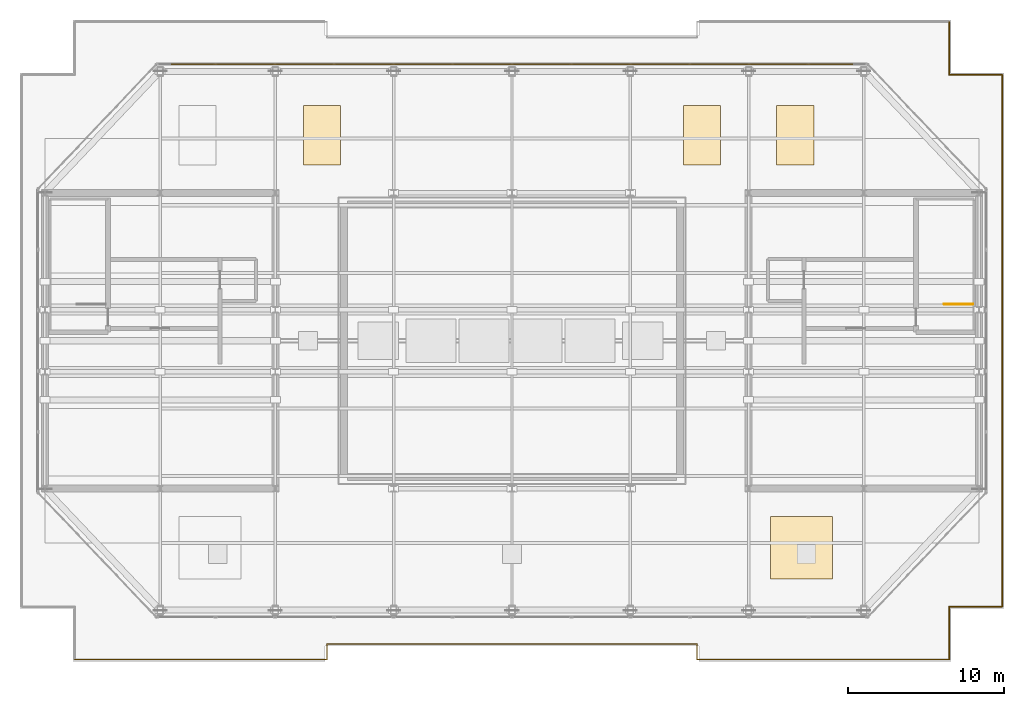
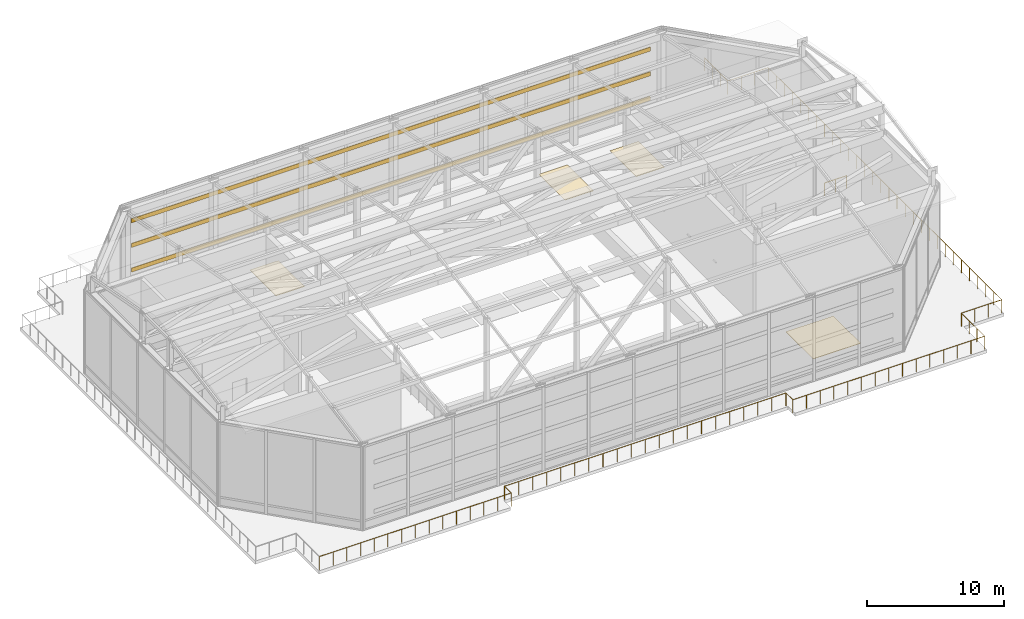
# One storey, part 25 of 25: 4 coverings, 3 shading devices, 2 railings.
"""IFC4 building model written with IfcOpenShell, lengths in metres."""

from ifc_helpers import new_model, si_unit, direction, frame, origin, origin_2d, place, context, subcontext, project, spatial, polyline, rectangle, circle, outline, extrude, source, transform, mapped, material, layer, layer_set, material_profile, profile_set, type_object, type_shapes, element, save


model = new_model("IFC4")

# Units and contexts
model_context = context("Model", 3, precision=1e-05, world=origin(), true_north=direction((0.0, 1.0)))
body_context = subcontext(model_context, "Body", "Model", "MODEL_VIEW")
ifc_project = project(units=[si_unit("LENGTHUNIT", "METRE"), si_unit("AREAUNIT", "SQUARE_METRE"), si_unit("VOLUMEUNIT", "CUBIC_METRE"), si_unit("PLANEANGLEUNIT", "RADIAN"), si_unit("MASSUNIT", "GRAM", prefix="KILO")], contexts=[model_context])

# Site, building, storey
site_placement = place(None, origin())
site = spatial("IfcSite", under=ifc_project, at=site_placement, CompositionType="ELEMENT")
building_placement = place(site_placement, origin())
building = spatial("IfcBuilding", under=site, at=building_placement, Name="Haelvirn Gate Laboratories", CompositionType="ELEMENT")
storey_placement = place(building_placement, frame((0.0, 0.0, 337.800048828125)))
storey = spatial("IfcBuildingStorey", under=building, at=storey_placement, Name="RF", CompositionType="ELEMENT", Elevation=337.800048828125)

# Coverings
ifc_material_1 = material(Name="Standing-seam bronze-patinated zinc & TPO roofing membrane", Category="aluminium")
ifc_layer = layer(ifc_material_1, 0.034912109375, Name="COV-ROOF-MEM")
ifc_layer_set = layer_set([ifc_layer], Name="Standing-seam bronze-patinated zinc & TPO roofing membrane")
covering_type = type_object("IfcCoveringType", Name="COV-ROOF-MEM", PredefinedType="ROOFING", material=ifc_layer_set)
covering_1_placement = place(storey_placement, origin())
element("IfcCovering", 1, at=covering_1_placement, inside=storey, type_object=covering_type, Name="RF Standing-Seam Bronze Roofing Panel 2", PredefinedType="ROOFING", context=body_context, shape_type="SweptSolid", body=[
    extrude(outline(polyline([(24.0, 35.60009765625), (26.39990234375, 35.60009765625), (26.39990234375, 39.39990234375), (24.0, 39.39990234375), (24.0, 35.60009765625)])), origin(), (0.0, 0.0, 1.0), 0.034912109375),
])
covering_2_placement = place(storey_placement, origin())
element("IfcCovering", 2, at=covering_2_placement, inside=storey, type_object=covering_type, Name="RF Standing-Seam Bronze Roofing Panel 3", PredefinedType="ROOFING", context=body_context, shape_type="SweptSolid", body=[
    extrude(outline(polyline([(48.39990234375, 35.60009765625), (50.800048828125, 35.60009765625), (50.800048828125, 39.39990234375), (48.39990234375, 39.39990234375), (48.39990234375, 35.60009765625)])), origin(), (0.0, 0.0, 1.0), 0.034912109375),
])
covering_3_placement = place(storey_placement, origin())
element("IfcCovering", 3, at=covering_3_placement, inside=storey, type_object=covering_type, Name="RF Standing-Seam Bronze Roofing Panel 4", PredefinedType="ROOFING", context=body_context, shape_type="SweptSolid", body=[
    extrude(outline(polyline([(54.39990234375, 35.60009765625), (56.800048828125, 35.60009765625), (56.800048828125, 39.39990234375), (54.39990234375, 39.39990234375), (54.39990234375, 35.60009765625)])), origin(), (0.0, 0.0, 1.0), 0.034912109375),
])
covering_4_placement = place(storey_placement, origin())
element("IfcCovering", 4, at=covering_4_placement, inside=storey, type_object=covering_type, Name="RF Crown Deck Waterproof Membrane 2", PredefinedType="ROOFING", context=body_context, shape_type="SweptSolid", body=[
    extrude(outline(polyline([(54.0, 9.0), (58.0, 9.0), (58.0, 13.0), (54.0, 13.0), (54.0, 9.0)])), origin(), (0.0, 0.0, 1.0), 0.034912109375),
])

# Railing
ifc_material_2 = material(Name="Galvanised & bronze-coated steel SM355", Category="steel")
railing_type_1 = type_object("IfcRailingType", Name="RLG-ROOF-1200", PredefinedType="GUARDRAIL", material=ifc_material_2)
shared_shape_1 = source(origin(), body_context, "Body", "SweptSolid", [
    extrude(circle(Radius=0.02392578125, at=origin_2d()), frame((0.0, 0.0, 1.17578125), z_axis=(1.0, 0.0, 0.0), x_axis=(0.0, 1.0, 0.0)), (0.0, 0.0, 1.0), 16.199951171875),
    extrude(circle(Radius=0.02392578125, at=origin_2d()), frame((16.199951171875, 0.0, 1.17578125), z_axis=(0.0, 1.0, 0.0), x_axis=(-1.0, 0.0, 0.0)), (0.0, 0.0, 1.0), 1.0),
    extrude(circle(Radius=0.02392578125, at=origin_2d()), frame((16.199951171875, 1.0, 1.17578125), z_axis=(1.0, 0.0, 0.0), x_axis=(0.0, 1.0, 0.0)), (0.0, 0.0, 1.0), 23.760009765625),
    extrude(circle(Radius=0.02392578125, at=origin_2d()), frame((39.9599609375, 1.0, 1.17578125), z_axis=(0.0, -1.0, 0.0), x_axis=(1.0, 0.0, 0.0)), (0.0, 0.0, 1.0), 1.0),
    extrude(circle(Radius=0.02392578125, at=origin_2d()), frame((39.9599609375, 0.0, 1.17578125), z_axis=(1.0, 0.0, 0.0), x_axis=(0.0, 1.0, 0.0)), (0.0, 0.0, 1.0), 16.199951171875),
    extrude(circle(Radius=0.02392578125, at=origin_2d()), frame((56.159912109375, 0.0, 1.17578125), z_axis=(0.0, 1.0, 0.0), x_axis=(-1.0, 0.0, 0.0)), (0.0, 0.0, 1.0), 3.39990234375),
    extrude(circle(Radius=0.02392578125, at=origin_2d()), frame((56.159912109375, 3.39990234375, 1.17578125), z_axis=(1.0, 0.0, 0.0), x_axis=(0.0, 1.0, 0.0)), (0.0, 0.0, 1.0), 3.39990234375),
    extrude(circle(Radius=0.02392578125, at=origin_2d()), frame((59.559814453125, 3.39990234375, 1.17578125), z_axis=(0.0, 1.0, 0.0), x_axis=(-1.0, 0.0, 0.0)), (0.0, 0.0, 1.0), 34.159912109375),
    extrude(circle(Radius=0.02392578125, at=origin_2d()), frame((59.559814453125, 37.559814453125, 1.17578125), z_axis=(-1.0, 0.0, 0.0), x_axis=(0.0, -1.0, 0.0)), (0.0, 0.0, 1.0), 3.39990234375),
    extrude(circle(Radius=0.02392578125, at=origin_2d()), frame((56.159912109375, 37.559814453125, 1.17578125), z_axis=(0.0, 1.0, 0.0), x_axis=(-1.0, 0.0, 0.0)), (0.0, 0.0, 1.0), 3.400146484375),
    extrude(circle(Radius=0.02099609375, at=origin_2d()), origin(), (0.0, 0.0, 1.0), 1.15185546875),
    extrude(circle(Radius=0.02099609375, at=origin_2d()), frame((1.1572265625, 0.0, 0.0)), (0.0, 0.0, 1.0), 1.15185546875),
    extrude(circle(Radius=0.02099609375, at=origin_2d()), frame((2.314208984375, 0.0, 0.0)), (0.0, 0.0, 1.0), 1.15185546875),
    extrude(circle(Radius=0.02099609375, at=origin_2d()), frame((3.471435546875, 0.0, 0.0)), (0.0, 0.0, 1.0), 1.15185546875),
    extrude(circle(Radius=0.02099609375, at=origin_2d()), frame((4.628662109375, 0.0, 0.0)), (0.0, 0.0, 1.0), 1.15185546875),
    extrude(circle(Radius=0.02099609375, at=origin_2d()), frame((5.78564453125, 0.0, 0.0)), (0.0, 0.0, 1.0), 1.15185546875),
    extrude(circle(Radius=0.02099609375, at=origin_2d()), frame((6.94287109375, 0.0, 0.0)), (0.0, 0.0, 1.0), 1.15185546875),
    extrude(circle(Radius=0.02099609375, at=origin_2d()), frame((8.10009765625, 0.0, 0.0)), (0.0, 0.0, 1.0), 1.15185546875),
    extrude(circle(Radius=0.02099609375, at=origin_2d()), frame((9.257080078125, 0.0, 0.0)), (0.0, 0.0, 1.0), 1.15185546875),
    extrude(circle(Radius=0.02099609375, at=origin_2d()), frame((10.414306640625, 0.0, 0.0)), (0.0, 0.0, 1.0), 1.15185546875),
    extrude(circle(Radius=0.02099609375, at=origin_2d()), frame((11.5712890625, 0.0, 0.0)), (0.0, 0.0, 1.0), 1.15185546875),
    extrude(circle(Radius=0.02099609375, at=origin_2d()), frame((12.728515625, 0.0, 0.0)), (0.0, 0.0, 1.0), 1.15185546875),
    extrude(circle(Radius=0.02099609375, at=origin_2d()), frame((13.8857421875, 0.0, 0.0)), (0.0, 0.0, 1.0), 1.15185546875),
    extrude(circle(Radius=0.02099609375, at=origin_2d()), frame((15.042724609375, 0.0, 0.0)), (0.0, 0.0, 1.0), 1.15185546875),
    extrude(circle(Radius=0.02099609375, at=origin_2d()), frame((16.199951171875, 0.0, 0.0)), (0.0, 0.0, 1.0), 1.15185546875),
    extrude(circle(Radius=0.02099609375, at=origin_2d()), frame((16.199951171875, 1.0, 0.0)), (0.0, 0.0, 1.0), 1.15185546875),
    extrude(circle(Radius=0.02099609375, at=origin_2d()), frame((17.387939453125, 1.0, 0.0)), (0.0, 0.0, 1.0), 1.15185546875),
    extrude(circle(Radius=0.02099609375, at=origin_2d()), frame((18.575927734375, 1.0, 0.0)), (0.0, 0.0, 1.0), 1.15185546875),
    extrude(circle(Radius=0.02099609375, at=origin_2d()), frame((19.763916015625, 1.0, 0.0)), (0.0, 0.0, 1.0), 1.15185546875),
    extrude(circle(Radius=0.02099609375, at=origin_2d()), frame((20.951904296875, 1.0, 0.0)), (0.0, 0.0, 1.0), 1.15185546875),
    extrude(circle(Radius=0.02099609375, at=origin_2d()), frame((22.139892578125, 1.0, 0.0)), (0.0, 0.0, 1.0), 1.15185546875),
    extrude(circle(Radius=0.02099609375, at=origin_2d()), frame((23.327880859375, 1.0, 0.0)), (0.0, 0.0, 1.0), 1.15185546875),
    extrude(circle(Radius=0.02099609375, at=origin_2d()), frame((24.515869140625, 1.0, 0.0)), (0.0, 0.0, 1.0), 1.15185546875),
    extrude(circle(Radius=0.02099609375, at=origin_2d()), frame((25.703857421875, 1.0, 0.0)), (0.0, 0.0, 1.0), 1.15185546875),
    extrude(circle(Radius=0.02099609375, at=origin_2d()), frame((26.891845703125, 1.0, 0.0)), (0.0, 0.0, 1.0), 1.15185546875),
    extrude(circle(Radius=0.02099609375, at=origin_2d()), frame((28.080078125, 1.0, 0.0)), (0.0, 0.0, 1.0), 1.15185546875),
    extrude(circle(Radius=0.02099609375, at=origin_2d()), frame((29.26806640625, 1.0, 0.0)), (0.0, 0.0, 1.0), 1.15185546875),
    extrude(circle(Radius=0.02099609375, at=origin_2d()), frame((30.4560546875, 1.0, 0.0)), (0.0, 0.0, 1.0), 1.15185546875),
    extrude(circle(Radius=0.02099609375, at=origin_2d()), frame((31.64404296875, 1.0, 0.0)), (0.0, 0.0, 1.0), 1.15185546875),
    extrude(circle(Radius=0.02099609375, at=origin_2d()), frame((32.83203125, 1.0, 0.0)), (0.0, 0.0, 1.0), 1.15185546875),
    extrude(circle(Radius=0.02099609375, at=origin_2d()), frame((34.02001953125, 1.0, 0.0)), (0.0, 0.0, 1.0), 1.15185546875),
    extrude(circle(Radius=0.02099609375, at=origin_2d()), frame((35.2080078125, 1.0, 0.0)), (0.0, 0.0, 1.0), 1.15185546875),
    extrude(circle(Radius=0.02099609375, at=origin_2d()), frame((36.39599609375, 1.0, 0.0)), (0.0, 0.0, 1.0), 1.15185546875),
    extrude(circle(Radius=0.02099609375, at=origin_2d()), frame((37.583984375, 1.0, 0.0)), (0.0, 0.0, 1.0), 1.15185546875),
    extrude(circle(Radius=0.02099609375, at=origin_2d()), frame((38.77197265625, 1.0, 0.0)), (0.0, 0.0, 1.0), 1.15185546875),
    extrude(circle(Radius=0.02099609375, at=origin_2d()), frame((39.9599609375, 1.0, 0.0)), (0.0, 0.0, 1.0), 1.15185546875),
    extrude(circle(Radius=0.02099609375, at=origin_2d()), frame((39.9599609375, 0.0, 0.0)), (0.0, 0.0, 1.0), 1.15185546875),
    extrude(circle(Radius=0.02099609375, at=origin_2d()), frame((41.1171875, 0.0, 0.0)), (0.0, 0.0, 1.0), 1.15185546875),
    extrude(circle(Radius=0.02099609375, at=origin_2d()), frame((42.274169921875, 0.0, 0.0)), (0.0, 0.0, 1.0), 1.15185546875),
    extrude(circle(Radius=0.02099609375, at=origin_2d()), frame((43.431396484375, 0.0, 0.0)), (0.0, 0.0, 1.0), 1.15185546875),
    extrude(circle(Radius=0.02099609375, at=origin_2d()), frame((44.588623046875, 0.0, 0.0)), (0.0, 0.0, 1.0), 1.15185546875),
    extrude(circle(Radius=0.02099609375, at=origin_2d()), frame((45.74560546875, 0.0, 0.0)), (0.0, 0.0, 1.0), 1.15185546875),
    extrude(circle(Radius=0.02099609375, at=origin_2d()), frame((46.90283203125, 0.0, 0.0)), (0.0, 0.0, 1.0), 1.15185546875),
    extrude(circle(Radius=0.02099609375, at=origin_2d()), frame((48.06005859375, 0.0, 0.0)), (0.0, 0.0, 1.0), 1.15185546875),
    extrude(circle(Radius=0.02099609375, at=origin_2d()), frame((49.217041015625, 0.0, 0.0)), (0.0, 0.0, 1.0), 1.15185546875),
    extrude(circle(Radius=0.02099609375, at=origin_2d()), frame((50.374267578125, 0.0, 0.0)), (0.0, 0.0, 1.0), 1.15185546875),
    extrude(circle(Radius=0.02099609375, at=origin_2d()), frame((51.53125, 0.0, 0.0)), (0.0, 0.0, 1.0), 1.15185546875),
    extrude(circle(Radius=0.02099609375, at=origin_2d()), frame((52.6884765625, 0.0, 0.0)), (0.0, 0.0, 1.0), 1.15185546875),
    extrude(circle(Radius=0.02099609375, at=origin_2d()), frame((53.845703125, 0.0, 0.0)), (0.0, 0.0, 1.0), 1.15185546875),
    extrude(circle(Radius=0.02099609375, at=origin_2d()), frame((55.002685546875, 0.0, 0.0)), (0.0, 0.0, 1.0), 1.15185546875),
    extrude(circle(Radius=0.02099609375, at=origin_2d()), frame((56.159912109375, 0.0, 0.0)), (0.0, 0.0, 1.0), 1.15185546875),
    extrude(circle(Radius=0.02099609375, at=origin_2d()), frame((56.159912109375, 1.13330078125, 0.0)), (0.0, 0.0, 1.0), 1.15185546875),
    extrude(circle(Radius=0.02099609375, at=origin_2d()), frame((56.159912109375, 2.2666015625, 0.0)), (0.0, 0.0, 1.0), 1.15185546875),
    extrude(circle(Radius=0.02099609375, at=origin_2d()), frame((56.159912109375, 3.39990234375, 0.0)), (0.0, 0.0, 1.0), 1.15185546875),
    extrude(circle(Radius=0.02099609375, at=origin_2d()), frame((57.293212890625, 3.39990234375, 0.0)), (0.0, 0.0, 1.0), 1.15185546875),
    extrude(circle(Radius=0.02099609375, at=origin_2d()), frame((58.426513671875, 3.39990234375, 0.0)), (0.0, 0.0, 1.0), 1.15185546875),
    extrude(circle(Radius=0.02099609375, at=origin_2d()), frame((59.559814453125, 3.39990234375, 0.0)), (0.0, 0.0, 1.0), 1.15185546875),
    extrude(circle(Radius=0.02099609375, at=origin_2d()), frame((59.559814453125, 4.577880859375, 0.0)), (0.0, 0.0, 1.0), 1.15185546875),
    extrude(circle(Radius=0.02099609375, at=origin_2d()), frame((59.559814453125, 5.755859375, 0.0)), (0.0, 0.0, 1.0), 1.15185546875),
    extrude(circle(Radius=0.02099609375, at=origin_2d()), frame((59.559814453125, 6.93359375, 0.0)), (0.0, 0.0, 1.0), 1.15185546875),
    extrude(circle(Radius=0.02099609375, at=origin_2d()), frame((59.559814453125, 8.111572265625, 0.0)), (0.0, 0.0, 1.0), 1.15185546875),
    extrude(circle(Radius=0.02099609375, at=origin_2d()), frame((59.559814453125, 9.28955078125, 0.0)), (0.0, 0.0, 1.0), 1.15185546875),
    extrude(circle(Radius=0.02099609375, at=origin_2d()), frame((59.559814453125, 10.467529296875, 0.0)), (0.0, 0.0, 1.0), 1.15185546875),
    extrude(circle(Radius=0.02099609375, at=origin_2d()), frame((59.559814453125, 11.6455078125, 0.0)), (0.0, 0.0, 1.0), 1.15185546875),
    extrude(circle(Radius=0.02099609375, at=origin_2d()), frame((59.559814453125, 12.8232421875, 0.0)), (0.0, 0.0, 1.0), 1.15185546875),
    extrude(circle(Radius=0.02099609375, at=origin_2d()), frame((59.559814453125, 14.001220703125, 0.0)), (0.0, 0.0, 1.0), 1.15185546875),
    extrude(circle(Radius=0.02099609375, at=origin_2d()), frame((59.559814453125, 15.17919921875, 0.0)), (0.0, 0.0, 1.0), 1.15185546875),
    extrude(circle(Radius=0.02099609375, at=origin_2d()), frame((59.559814453125, 16.357177734375, 0.0)), (0.0, 0.0, 1.0), 1.15185546875),
    extrude(circle(Radius=0.02099609375, at=origin_2d()), frame((59.559814453125, 17.53515625, 0.0)), (0.0, 0.0, 1.0), 1.15185546875),
    extrude(circle(Radius=0.02099609375, at=origin_2d()), frame((59.559814453125, 18.712890625, 0.0)), (0.0, 0.0, 1.0), 1.15185546875),
    extrude(circle(Radius=0.02099609375, at=origin_2d()), frame((59.559814453125, 19.890869140625, 0.0)), (0.0, 0.0, 1.0), 1.15185546875),
    extrude(circle(Radius=0.02099609375, at=origin_2d()), frame((59.559814453125, 21.06884765625, 0.0)), (0.0, 0.0, 1.0), 1.15185546875),
    extrude(circle(Radius=0.02099609375, at=origin_2d()), frame((59.559814453125, 22.246826171875, 0.0)), (0.0, 0.0, 1.0), 1.15185546875),
    extrude(circle(Radius=0.02099609375, at=origin_2d()), frame((59.559814453125, 23.424560546875, 0.0)), (0.0, 0.0, 1.0), 1.15185546875),
    extrude(circle(Radius=0.02099609375, at=origin_2d()), frame((59.559814453125, 24.6025390625, 0.0)), (0.0, 0.0, 1.0), 1.15185546875),
    extrude(circle(Radius=0.02099609375, at=origin_2d()), frame((59.559814453125, 25.780517578125, 0.0)), (0.0, 0.0, 1.0), 1.15185546875),
    extrude(circle(Radius=0.02099609375, at=origin_2d()), frame((59.559814453125, 26.95849609375, 0.0)), (0.0, 0.0, 1.0), 1.15185546875),
    extrude(circle(Radius=0.02099609375, at=origin_2d()), frame((59.559814453125, 28.136474609375, 0.0)), (0.0, 0.0, 1.0), 1.15185546875),
    extrude(circle(Radius=0.02099609375, at=origin_2d()), frame((59.559814453125, 29.314208984375, 0.0)), (0.0, 0.0, 1.0), 1.15185546875),
    extrude(circle(Radius=0.02099609375, at=origin_2d()), frame((59.559814453125, 30.4921875, 0.0)), (0.0, 0.0, 1.0), 1.15185546875),
    extrude(circle(Radius=0.02099609375, at=origin_2d()), frame((59.559814453125, 31.670166015625, 0.0)), (0.0, 0.0, 1.0), 1.15185546875),
    extrude(circle(Radius=0.02099609375, at=origin_2d()), frame((59.559814453125, 32.84814453125, 0.0)), (0.0, 0.0, 1.0), 1.15185546875),
    extrude(circle(Radius=0.02099609375, at=origin_2d()), frame((59.559814453125, 34.026123046875, 0.0)), (0.0, 0.0, 1.0), 1.15185546875),
    extrude(circle(Radius=0.02099609375, at=origin_2d()), frame((59.559814453125, 35.203857421875, 0.0)), (0.0, 0.0, 1.0), 1.15185546875),
    extrude(circle(Radius=0.02099609375, at=origin_2d()), frame((59.559814453125, 36.3818359375, 0.0)), (0.0, 0.0, 1.0), 1.15185546875),
    extrude(circle(Radius=0.02099609375, at=origin_2d()), frame((59.559814453125, 37.559814453125, 0.0)), (0.0, 0.0, 1.0), 1.15185546875),
    extrude(circle(Radius=0.02099609375, at=origin_2d()), frame((58.426513671875, 37.559814453125, 0.0)), (0.0, 0.0, 1.0), 1.15185546875),
    extrude(circle(Radius=0.02099609375, at=origin_2d()), frame((57.293212890625, 37.559814453125, 0.0)), (0.0, 0.0, 1.0), 1.15185546875),
    extrude(circle(Radius=0.02099609375, at=origin_2d()), frame((56.159912109375, 37.559814453125, 0.0)), (0.0, 0.0, 1.0), 1.15185546875),
    extrude(circle(Radius=0.02099609375, at=origin_2d()), frame((56.159912109375, 38.693115234375, 0.0)), (0.0, 0.0, 1.0), 1.15185546875),
    extrude(circle(Radius=0.02099609375, at=origin_2d()), frame((56.159912109375, 39.82666015625, 0.0)), (0.0, 0.0, 1.0), 1.15185546875),
    extrude(circle(Radius=0.02099609375, at=origin_2d()), frame((56.159912109375, 40.9599609375, 0.0)), (0.0, 0.0, 1.0), 1.15185546875),
])
type_shapes(railing_type_1, [shared_shape_1])
railing_1_placement = place(storey_placement, frame((9.320068359375, 3.820068359375, 0.0)))
element("IfcRailing", 5, at=railing_1_placement, inside=storey, type_object=railing_type_1, Name="RF Crown Maintenance Deck Perimeter Guardrail A", PredefinedType="GUARDRAIL", context=body_context, shape_type="MappedRepresentation", body=[
    mapped(shared_shape_1, transform((0.0, 0.0, 0.0), scale=1.0)),
])

# Shading devices
ifc_material_3 = material(Name="Extruded aluminium 6063-T6 (anodised bronze)", Category="aluminium")
ifc_material_profile = material_profile(ifc_material_3, rectangle(XDim=0.080078125, YDim=0.360107421875, at=origin_2d()), Name="LOUV-360x80")
ifc_profile_set = profile_set([ifc_material_profile], Name="Extruded aluminium 6063-T6 (anodised bronze)")
shading_device_type = type_object("IfcShadingDeviceType", Name="SHD-LOUV-360", PredefinedType="USERDEFINED", material=ifc_profile_set)
shared_shape_2 = source(origin(), body_context, "Body", "SweptSolid", [
    extrude(rectangle(XDim=0.080078125, YDim=0.360107421875, at=origin_2d()), origin(), (0.0, 0.0, 1.0), 43.800048828125),
])
type_shapes(shading_device_type, [shared_shape_2])
for number, where, z_axis, x_axis, name in (
    (6, (15.5, 42.050048828125, 1.39990234375), (1.0, 0.0, 0.0), (0.0, 1.0, 0.0), "RF Crown North Acoustic Louvre 1"),
    (7, (15.5, 42.050048828125, 3.599853515625), (1.0, 0.0, 0.0), (0.0, 1.0, 0.0), "RF Crown North Acoustic Louvre 2"),
    (8, (15.5, 42.050048828125, 5.800048828125), (1.0, 0.0, 0.0), (0.0, 1.0, 0.0), "RF Crown North Acoustic Louvre 3"),
):
    element("IfcShadingDevice", number, at=place(storey_placement, frame(where, z_axis=z_axis, x_axis=x_axis)), inside=storey, type_object=shading_device_type, Name=name, ObjectType="LOUVRE", PredefinedType="USERDEFINED", context=body_context, shape_type="MappedRepresentation", body=[
        mapped(shared_shape_2, transform((0.0, 0.0, 0.0), scale=1.0)),
    ])

# Railing
ifc_material_4 = material(Name="Galvanised steel SM355 & stainless top rail", Category="steel")
railing_type_2 = type_object("IfcRailingType", Name="RL-GUARD-1150", PredefinedType="GUARDRAIL", material=ifc_material_4)
shared_shape_3 = source(origin(), body_context, "Body", "SweptSolid", [
    extrude(circle(Radius=0.02392578125, at=origin_2d()), frame((0.0, 0.0, 1.1259765625), z_axis=(-1.0, 0.0, 0.0), x_axis=(0.0, -1.0, 0.0)), (0.0, 0.0, 1.0), 1.85009765625),
    extrude(circle(Radius=0.02099609375, at=origin_2d()), origin(), (0.0, 0.0, 1.0), 1.101806640625),
    extrude(circle(Radius=0.02099609375, at=origin_2d()), frame((-0.925048828125, 0.0, 0.0)), (0.0, 0.0, 1.0), 1.101806640625),
    extrude(circle(Radius=0.02099609375, at=origin_2d()), frame((-1.85009765625, 0.0, 0.0)), (0.0, 0.0, 1.0), 1.101806640625),
])
type_shapes(railing_type_2, [shared_shape_3])
railing_2_placement = place(storey_placement, frame((67.0, 26.64990234375, 0.0)))
element("IfcRailing", 9, at=railing_2_placement, inside=storey, type_object=railing_type_2, Name="RF ST2 top well guard 1", PredefinedType="GUARDRAIL", context=body_context, shape_type="MappedRepresentation", body=[
    mapped(shared_shape_3, transform((0.0, 0.0, 0.0), scale=1.0)),
])

save(model, "model.ifc")
